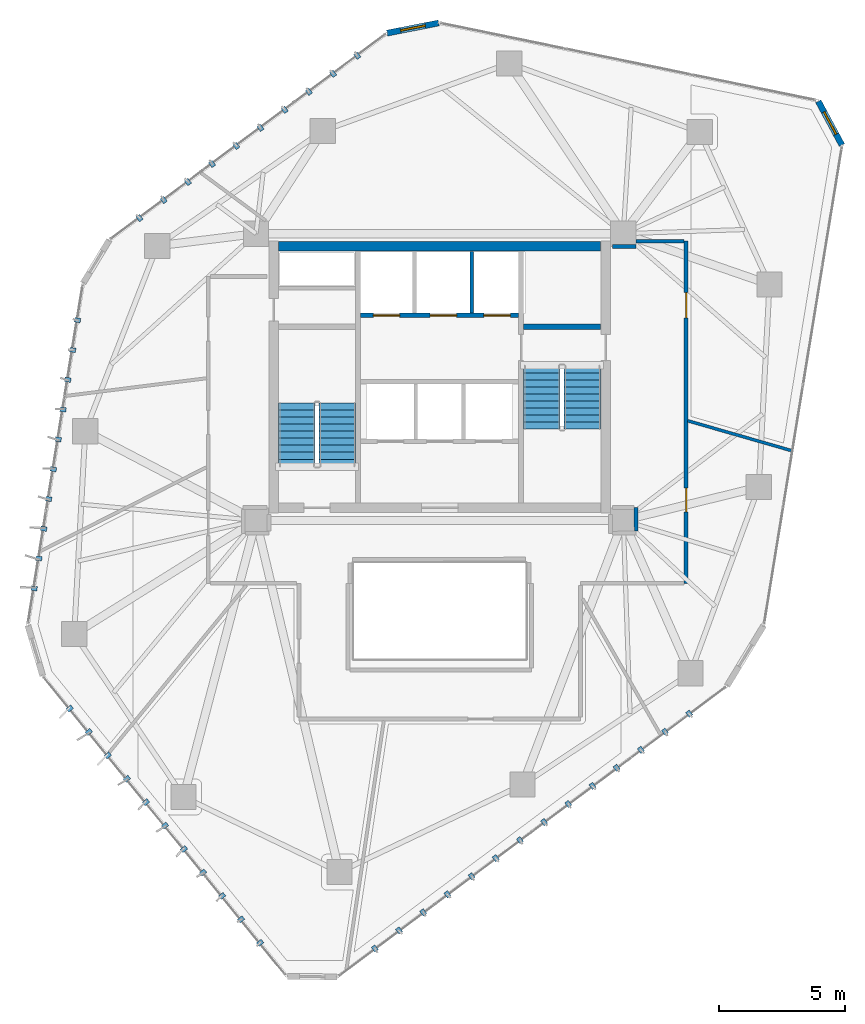
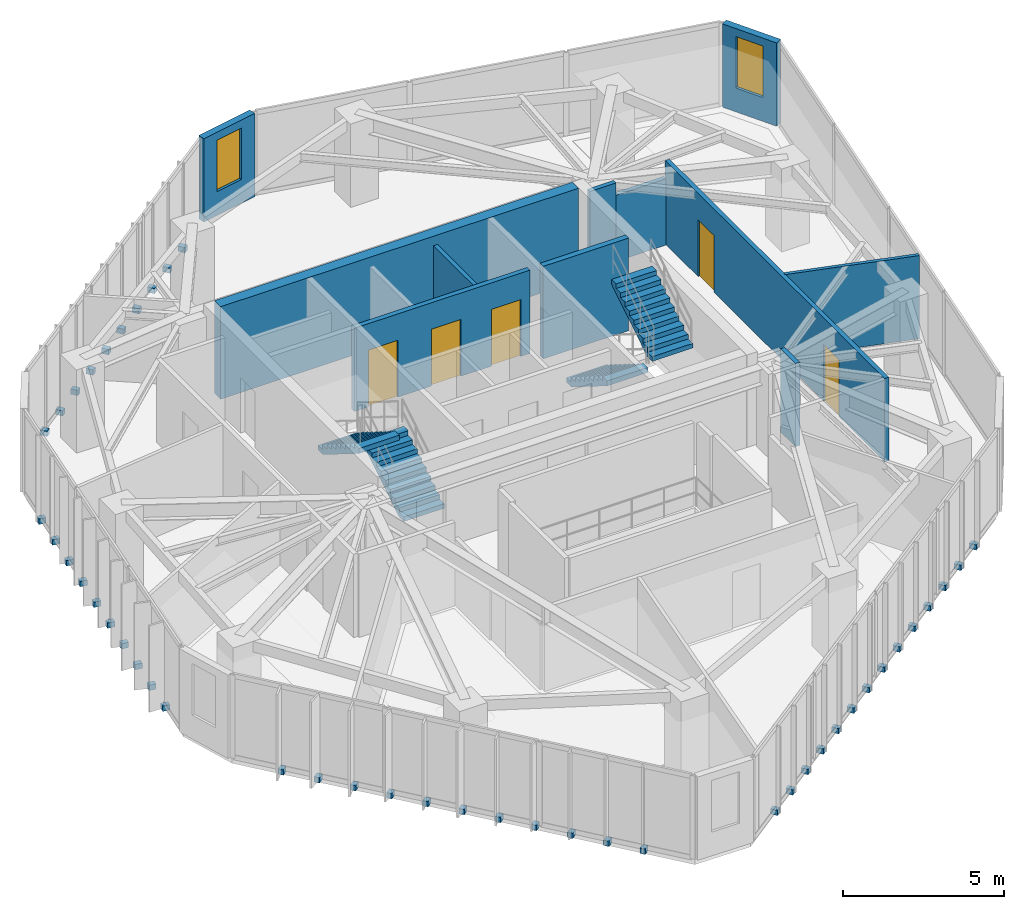
# One storey, part 18 of 20: 45 discrete accessories, 11 walls, 5 doors, 4 stair flights, 2 windows, 7 openings, 2 elements without a shape of their own.
"""IFC4 building model written with IfcOpenShell, lengths in metres."""

from ifc_helpers import new_model, si_unit, direction, frame, frame_2d, origin, origin_2d, place, context, subcontext, project, spatial, polyline, rectangle, outline, extrude, source, transform, mapped, material, layer, layer_set, type_object, type_shapes, element, fill, aggregate, save


model = new_model("IFC4")

# Units and contexts
model_context = context("Model", 3, precision=1e-05, world=origin(), true_north=direction((0.0, 1.0)))
body_context = subcontext(model_context, "Body", "Model", "MODEL_VIEW")
ifc_project = project(units=[si_unit("LENGTHUNIT", "METRE"), si_unit("AREAUNIT", "SQUARE_METRE"), si_unit("VOLUMEUNIT", "CUBIC_METRE"), si_unit("PLANEANGLEUNIT", "RADIAN"), si_unit("MASSUNIT", "GRAM", prefix="KILO")], contexts=[model_context])

# Site, building, storey
site_placement = place(None, origin())
site = spatial("IfcSite", under=ifc_project, at=site_placement, CompositionType="ELEMENT")
building_placement = place(site_placement, origin())
building = spatial("IfcBuilding", under=site, at=building_placement, Name="Talar Marvaseh", CompositionType="ELEMENT")
storey_placement = place(building_placement, frame((0.0, 0.0, 198.5)))
storey = spatial("IfcBuildingStorey", under=building, at=storey_placement, Name="L52", CompositionType="ELEMENT", Elevation=198.5)

# Wall, opening, window
ifc_material_1 = material(Name="Precast concrete C45/55", Category="concrete")
ifc_layer_1 = layer(ifc_material_1, 0.239990234375)
ifc_layer_set_1 = layer_set([ifc_layer_1], Name="Precast concrete C45/55")
wall_type_1 = type_object("IfcWallType", Name="Chamfered Hexagonal Corner Pier Wall Z3 240", PredefinedType="SOLIDWALL", material=ifc_layer_set_1)
wall_1_placement = place(storey_placement, frame((23.914306640625, 44.87451171875, 0.0), z_axis=(0.0, 0.0, 1.0), x_axis=(0.981222754969, 0.192877953979, 0.0)))
wall_1 = element("IfcWall", 1, at=wall_1_placement, inside=storey, type_object=wall_type_1, Name="L52 Chamfered Corner Limestone Pier 4", PredefinedType="SOLIDWALL", context=body_context, shape_type="SweptSolid", body=[
    extrude(rectangle(XDim=2.088623046875, YDim=0.239990234375, at=frame_2d((1.04443359375, 0.0))), origin(), (0.0, 0.0, 1.0), 3.14990234375),
])
opening_1_placement = place(wall_1_placement, frame((0.5439453125, 0.0, 0.89990234375)))
opening_1 = element("IfcOpeningElement", 2, at=opening_1_placement, cuts=wall_1, Name="Opening WN-CHM10", PredefinedType="OPENING", context=body_context, shape_type="SweptSolid", body=[
    extrude(rectangle(XDim=1.0, YDim=1.949951171875, at=frame_2d((0.5, 0.97509765625))), frame((0.0, 0.1298828125, 0.0), z_axis=(0.0, -1.0, 0.0), x_axis=(1.0, 0.0, 0.0)), (0.0, 0.0, 1.0), 0.260009765625),
])
ifc_material_2 = material(Name="Laminated Low-E Solar Glass", Category="glass")
window_type = type_object("IfcWindowType", Name="Zone 3 Chamfered Corner Slot Window 1000x1950", PartitioningType="SINGLE_PANEL", PredefinedType="WINDOW", material=ifc_material_2)
shared_shape_1 = source(origin(), body_context, "Body", "SweptSolid", [
    extrude(rectangle(XDim=1.0, YDim=1.949951171875, at=frame_2d((0.5, 0.97509765625))), frame((0.0, 0.030029296875, 0.0), z_axis=(0.0, -1.0, 0.0), x_axis=(1.0, 0.0, 0.0)), (0.0, 0.0, 1.0), 0.06005859375),
])
type_shapes(window_type, [shared_shape_1])
window_1_placement = place(opening_1_placement, origin())
window_1 = element("IfcWindow", 3, at=window_1_placement, inside=storey, type_object=window_type, Name="L52 Chamfered Corner Slot Window", OverallHeight=1.949951171875, OverallWidth=1.0, PartitioningType="SINGLE_PANEL", PredefinedType="WINDOW", context=body_context, shape_type="MappedRepresentation", body=[
    mapped(shared_shape_1, transform((0.0, 0.0, 0.0), x_axis=(1.0, 0.0, 0.0), y_axis=(0.0, 1.0, 0.0), z_axis=(0.0, 0.0, 1.0), scale=1.0)),
])
fill(opening_1, window_1)

wall_2_placement = place(storey_placement, frame((41.053955078125, 42.163818359375, 0.0), z_axis=(0.0, 0.0, 1.0), x_axis=(0.474357429057, -0.880332340368, 0.0)))
wall_2 = element("IfcWall", 4, at=wall_2_placement, inside=storey, type_object=wall_type_1, Name="L52 Chamfered Corner Limestone Pier 5", PredefinedType="SOLIDWALL", context=body_context, shape_type="SweptSolid", body=[
    extrude(rectangle(XDim=1.977783203125, YDim=0.239990234375, at=frame_2d((0.98876953125, 0.0))), origin(), (0.0, 0.0, 1.0), 3.14990234375),
])
opening_2_placement = place(wall_2_placement, frame((0.489013671875, 0.0, 0.89990234375)))
opening_2 = element("IfcOpeningElement", 5, at=opening_2_placement, cuts=wall_2, Name="Opening WN-CHM10", PredefinedType="OPENING", context=body_context, shape_type="SweptSolid", body=[
    extrude(rectangle(XDim=1.0, YDim=1.949951171875, at=frame_2d((0.5, 0.97509765625))), frame((0.0, 0.1298828125, 0.0), z_axis=(0.0, -1.0, 0.0), x_axis=(1.0, 0.0, 0.0)), (0.0, 0.0, 1.0), 0.260009765625),
])
window_2_placement = place(opening_2_placement, origin())
window_2 = element("IfcWindow", 6, at=window_2_placement, inside=storey, type_object=window_type, Name="L52 Chamfered Corner Slot Window", OverallHeight=1.949951171875, OverallWidth=1.0, PartitioningType="SINGLE_PANEL", PredefinedType="WINDOW", context=body_context, shape_type="MappedRepresentation", body=[
    mapped(shared_shape_1, transform((0.0, 0.0, 0.0), x_axis=(1.0, 0.0, 0.0), y_axis=(0.0, 1.0, 0.0), z_axis=(0.0, 0.0, 1.0), scale=1.0)),
])
fill(opening_2, window_2)

# Wall, openings, doors
ifc_material_3 = material(Name="Gypsum Board Partition Assembly")
ifc_layer_2 = layer(ifc_material_3, 0.155029296875)
ifc_layer_set_2 = layer_set([ifc_layer_2], Name="Gypsum Board Partition Assembly")
wall_type_2 = type_object("IfcWallType", Name="Corridor Fire-Rated Acoustic Partition 155", PredefinedType="PARTITIONING", material=ifc_layer_set_2)
wall_3_placement = place(storey_placement, frame((35.800048828125, 36.60009765625, 0.0), z_axis=(0.0, 0.0, 1.0), x_axis=(0.0, -1.0, 0.0)))
wall_3 = element("IfcWall", 7, at=wall_3_placement, inside=storey, type_object=wall_type_2, Name="L52 Interior Partition Wall", PredefinedType="PARTITIONING", context=body_context, shape_type="SweptSolid", body=[
    extrude(rectangle(XDim=13.60009765625, YDim=0.155029296875, at=frame_2d((6.800048828125, 0.0))), origin(), (0.0, 0.0, 1.0), 3.14990234375),
])
opening_3_placement = place(wall_3_placement, frame((9.81494140625, 0.0, 0.0)))
opening_3 = element("IfcOpeningElement", 8, at=opening_3_placement, cuts=wall_3, Name="Opening DR-WC095", PredefinedType="OPENING", context=body_context, shape_type="SweptSolid", body=[
    extrude(rectangle(XDim=0.949951171875, YDim=2.14990234375, at=frame_2d((0.47509765625, 1.074951171875))), frame((0.0, 0.08740234375, 0.0), z_axis=(0.0, -1.0, 0.0), x_axis=(1.0, 0.0, 0.0)), (0.0, 0.0, 1.0), 0.175048828125),
])
opening_4_placement = place(wall_3_placement, frame((2.04296875, 0.0, 0.0)))
opening_4 = element("IfcOpeningElement", 9, at=opening_4_placement, cuts=wall_3, Name="Opening DR-RM100", PredefinedType="OPENING", context=body_context, shape_type="SweptSolid", body=[
    extrude(rectangle(XDim=1.0, YDim=2.14990234375, at=frame_2d((0.5, 1.074951171875))), frame((0.0, 0.08740234375, 0.0), z_axis=(0.0, -1.0, 0.0), x_axis=(1.0, 0.0, 0.0)), (0.0, 0.0, 1.0), 0.175048828125),
])
ifc_material_4 = material(Name="Acoustic Engineered Oak Timber", Category="wood")
door_type_1 = type_object("IfcDoorType", Name="Washroom and Service Room Door 950x2150", OperationType="NOTDEFINED", PredefinedType="DOOR", material=ifc_material_4)
shared_shape_2 = source(origin(), body_context, "Body", "SweptSolid", [
    extrude(rectangle(XDim=0.949951171875, YDim=2.14990234375, at=frame_2d((0.47509765625, 1.074951171875))), frame((0.0, 0.02490234375, 0.0), z_axis=(0.0, -1.0, 0.0), x_axis=(1.0, 0.0, 0.0)), (0.0, 0.0, 1.0), 0.050048828125),
])
type_shapes(door_type_1, [shared_shape_2])
door_1_placement = place(opening_3_placement, origin())
door_1 = element("IfcDoor", 10, at=door_1_placement, inside=storey, type_object=door_type_1, Name="L52 Scholars' Servery Pantry Door", OperationType="SINGLE_SWING_RIGHT", OverallHeight=2.14990234375, OverallWidth=0.949951171875, PredefinedType="DOOR", context=body_context, shape_type="MappedRepresentation", body=[
    mapped(shared_shape_2, transform((0.0, 0.0, 0.0), x_axis=(1.0, 0.0, 0.0), y_axis=(0.0, 1.0, 0.0), z_axis=(0.0, 0.0, 1.0), scale=1.0)),
])
fill(opening_3, door_1)
door_type_2 = type_object("IfcDoorType", Name="Corridor Fire-Rated Gallery Door 1000x2150", OperationType="NOTDEFINED", PredefinedType="DOOR", material=ifc_material_4)
shared_shape_3 = source(origin(), body_context, "Body", "SweptSolid", [
    extrude(rectangle(XDim=1.0, YDim=2.14990234375, at=frame_2d((0.5, 1.074951171875))), frame((0.0, 0.02490234375, 0.0), z_axis=(0.0, -1.0, 0.0), x_axis=(1.0, 0.0, 0.0)), (0.0, 0.0, 1.0), 0.050048828125),
])
type_shapes(door_type_2, [shared_shape_3])
door_2_placement = place(opening_4_placement, origin())
door_2 = element("IfcDoor", 11, at=door_2_placement, inside=storey, type_object=door_type_2, Name="L52 Conservation Briefing Room Door", OperationType="SINGLE_SWING_LEFT", OverallHeight=2.14990234375, OverallWidth=1.0, PredefinedType="DOOR", context=body_context, shape_type="MappedRepresentation", body=[
    mapped(shared_shape_3, transform((0.0, 0.0, 0.0), x_axis=(1.0, 0.0, 0.0), y_axis=(0.0, 1.0, 0.0), z_axis=(0.0, 0.0, 1.0), scale=1.0)),
])
fill(opening_4, door_2)

# Walls
wall_4_placement = place(storey_placement, frame((33.814697265625, 25.08349609375, 0.0), z_axis=(0.0, 0.0, 1.0), x_axis=(-0.004477173984, 0.999989977406, 0.0)))
element("IfcWall", 12, at=wall_4_placement, inside=storey, type_object=wall_type_2, Name="L52 Interior Partition Wall", PredefinedType="PARTITIONING", context=body_context, shape_type="SweptSolid", body=[
    extrude(rectangle(XDim=0.927001953125, YDim=0.155029296875, at=frame_2d((0.46337890625, 0.0))), origin(), (0.0, 0.0, 1.0), 3.14990234375),
])
wall_5_placement = place(storey_placement, frame((32.8701171875, 36.385009765625, 0.0), z_axis=(0.0, 0.0, 1.0), x_axis=(0.999999965754, 0.000261711585, 0.0)))
element("IfcWall", 13, at=wall_5_placement, inside=storey, type_object=wall_type_2, Name="L52 Interior Partition Wall", PredefinedType="PARTITIONING", context=body_context, shape_type="SweptSolid", body=[
    extrude(rectangle(XDim=0.932861328125, YDim=0.155029296875, at=frame_2d((0.46630859375, 0.0))), origin(), (0.0, 0.0, 1.0), 3.14990234375),
])
wall_6_placement = place(storey_placement, frame((33.81494140625, 36.60009765625, 0.0), z_axis=(0.0, 0.0, 1.0), x_axis=(1.0, 0.0, 0.0)))
element("IfcWall", 14, at=wall_6_placement, inside=storey, type_object=wall_type_2, Name="L52 Interior Partition Wall", PredefinedType="PARTITIONING", context=body_context, shape_type="SweptSolid", body=[
    extrude(rectangle(XDim=1.901611328125, YDim=0.155029296875, at=frame_2d((0.95068359375, 0.0))), origin(), (0.0, 0.0, 1.0), 2.509033203125),
])
ifc_layer_3 = layer(ifc_material_3, 0.1201171875)
ifc_layer_set_3 = layer_set([ifc_layer_3], Name="Gypsum Board Partition Assembly")
wall_type_3 = type_object("IfcWallType", Name="Demountable Studio Room Partition 120", PredefinedType="PARTITIONING", material=ifc_layer_set_3)
wall_7_placement = place(storey_placement, frame((35.862548828125, 29.4619140625, 0.0), z_axis=(0.0, 0.0, 1.0), x_axis=(0.960991316353, -0.276578541998, 0.0)))
element("IfcWall", 15, at=wall_7_placement, inside=storey, type_object=wall_type_3, Name="L52 Interior Partition Wall", PredefinedType="PARTITIONING", context=body_context, shape_type="SweptSolid", body=[
    extrude(rectangle(XDim=4.30419921875, YDim=0.1201171875, at=frame_2d((2.152099609375, 0.0))), origin(), (0.0, 0.0, 1.0), 3.14990234375),
])
ifc_layer_4 = layer(ifc_material_1, 0.14501953125)
ifc_layer_set_4 = layer_set([ifc_layer_4], Name="Precast concrete C45/55")
wall_type_4 = type_object("IfcWallType", Name="Fire-Rated Lift Divider Wall 145", PredefinedType="SOLIDWALL", material=ifc_layer_set_4)
wall_8_placement = place(storey_placement, frame((27.280029296875, 33.743408203125, 0.0), z_axis=(0.0, 0.0, 1.0), x_axis=(0.0, 1.0, 0.0)))
element("IfcWall", 16, at=wall_8_placement, inside=storey, type_object=wall_type_4, Name="L52 FFL-2/SVL-1 Divider", PredefinedType="SOLIDWALL", context=body_context, shape_type="SweptSolid", body=[
    extrude(rectangle(XDim=2.45654296875, YDim=0.14501953125, at=frame_2d((1.228271484375, 0.0))), origin(), (0.0, 0.0, 1.0), 3.14990234375),
])

# Wall, openings, doors
ifc_layer_5 = layer(ifc_material_1, 0.175048828125)
ifc_layer_set_5 = layer_set([ifc_layer_5], Name="Precast concrete C45/55")
wall_type_5 = type_object("IfcWallType", Name="Fire-Rated Lift Hoistway Enclosure Wall 175", PredefinedType="SOLIDWALL", material=ifc_layer_set_5)
wall_9_placement = place(storey_placement, frame((22.860107421875, 33.64990234375, 0.0), z_axis=(0.0, 0.0, 1.0), x_axis=(1.0, 0.0, 0.0)))
wall_9 = element("IfcWall", 17, at=wall_9_placement, inside=storey, type_object=wall_type_5, Name="L52 Firefighting and Service Lift Front Wall", PredefinedType="SOLIDWALL", context=body_context, shape_type="SweptSolid", body=[
    extrude(rectangle(XDim=6.27978515625, YDim=0.175048828125, at=frame_2d((3.139892578125, 0.0))), origin(), (0.0, 0.0, 1.0), 3.14990234375),
])
opening_5_placement = place(wall_9_placement, frame((0.5, 0.0, 0.0)))
opening_5 = element("IfcOpeningElement", 18, at=opening_5_placement, cuts=wall_9, Name="Opening LD-FF1", PredefinedType="OPENING", context=body_context, shape_type="SweptSolid", body=[
    extrude(rectangle(XDim=1.050048828125, YDim=2.14990234375, at=frame_2d((0.52490234375, 1.074951171875))), frame((0.0, 0.09765625, 0.0), z_axis=(0.0, -1.0, 0.0), x_axis=(1.0, 0.0, 0.0)), (0.0, 0.0, 1.0), 0.195068359375),
])
opening_6_placement = place(wall_9_placement, frame((2.760009765625, 0.0, 0.0)))
opening_6 = element("IfcOpeningElement", 19, at=opening_6_placement, cuts=wall_9, Name="Opening LD-FF2", PredefinedType="OPENING", context=body_context, shape_type="SweptSolid", body=[
    extrude(rectangle(XDim=1.050048828125, YDim=2.14990234375, at=frame_2d((0.52490234375, 1.074951171875))), frame((0.0, 0.09765625, 0.0), z_axis=(0.0, -1.0, 0.0), x_axis=(1.0, 0.0, 0.0)), (0.0, 0.0, 1.0), 0.195068359375),
])
opening_7_placement = place(wall_9_placement, frame((4.89990234375, 0.0, 0.0)))
opening_7 = element("IfcOpeningElement", 20, at=opening_7_placement, cuts=wall_9, Name="Opening LD-SV1", PredefinedType="OPENING", context=body_context, shape_type="SweptSolid", body=[
    extrude(rectangle(XDim=1.050048828125, YDim=2.14990234375, at=frame_2d((0.52490234375, 1.074951171875))), frame((0.0, 0.09765625, 0.0), z_axis=(0.0, -1.0, 0.0), x_axis=(1.0, 0.0, 0.0)), (0.0, 0.0, 1.0), 0.195068359375),
])
ifc_material_5 = material(Name="Stainless Steel Grade 316", Category="steel")
door_type_3 = type_object("IfcDoorType", Name="Automatic Sliding Lift Landing Door 1050x2150", OperationType="NOTDEFINED", PredefinedType="DOOR", material=ifc_material_5)
shared_shape_4 = source(origin(), body_context, "Body", "SweptSolid", [
    extrude(rectangle(XDim=1.050048828125, YDim=2.14990234375, at=frame_2d((0.52490234375, 1.074951171875))), frame((0.0, 0.02490234375, 0.0), z_axis=(0.0, -1.0, 0.0), x_axis=(1.0, 0.0, 0.0)), (0.0, 0.0, 1.0), 0.050048828125),
])
type_shapes(door_type_3, [shared_shape_4])
door_3_placement = place(opening_5_placement, origin())
door_3 = element("IfcDoor", 21, at=door_3_placement, inside=storey, type_object=door_type_3, Name="L52 Lift FFL-1 Sliding Landing Door", OperationType="SLIDING_TO_LEFT", OverallHeight=2.14990234375, OverallWidth=1.050048828125, PredefinedType="DOOR", context=body_context, shape_type="MappedRepresentation", body=[
    mapped(shared_shape_4, transform((0.0, 0.0, 0.0), x_axis=(1.0, 0.0, 0.0), y_axis=(0.0, 1.0, 0.0), z_axis=(0.0, 0.0, 1.0), scale=1.0)),
])
fill(opening_5, door_3)
door_4_placement = place(opening_6_placement, origin())
door_4 = element("IfcDoor", 22, at=door_4_placement, inside=storey, type_object=door_type_3, Name="L52 Lift FFL-2 Sliding Landing Door", OperationType="SLIDING_TO_LEFT", OverallHeight=2.14990234375, OverallWidth=1.050048828125, PredefinedType="DOOR", context=body_context, shape_type="MappedRepresentation", body=[
    mapped(shared_shape_4, transform((0.0, 0.0, 0.0), x_axis=(1.0, 0.0, 0.0), y_axis=(0.0, 1.0, 0.0), z_axis=(0.0, 0.0, 1.0), scale=1.0)),
])
fill(opening_6, door_4)
door_5_placement = place(opening_7_placement, origin())
door_5 = element("IfcDoor", 23, at=door_5_placement, inside=storey, type_object=door_type_3, Name="L52 Lift SVL-1 Sliding Landing Door", OperationType="SLIDING_TO_LEFT", OverallHeight=2.14990234375, OverallWidth=1.050048828125, PredefinedType="DOOR", context=body_context, shape_type="MappedRepresentation", body=[
    mapped(shared_shape_4, transform((0.0, 0.0, 0.0), x_axis=(1.0, 0.0, 0.0), y_axis=(0.0, 1.0, 0.0), z_axis=(0.0, 0.0, 1.0), scale=1.0)),
])
fill(opening_7, door_5)

# Walls
ifc_material_6 = material(Name="Concrete C60/75", Category="concrete")
ifc_layer_6 = layer(ifc_material_6, 0.3798828125)
ifc_layer_set_6 = layer_set([ifc_layer_6], Name="Concrete C60/75")
wall_type_6 = type_object("IfcWallType", Name="Mid Core Reinforced Concrete Shear Wall 380", PredefinedType="SHEAR", material=ifc_layer_set_6)
wall_10_placement = place(storey_placement, frame((19.60009765625, 36.39990234375, 0.0), z_axis=(0.0, 0.0, 1.0), x_axis=(1.0, 0.0, 0.0)))
element("IfcWall", 24, at=wall_10_placement, inside=storey, type_object=wall_type_6, Name="L52 North Core Shear Wall", PredefinedType="SHEAR", context=body_context, shape_type="SweptSolid", body=[
    extrude(rectangle(XDim=12.7998046875, YDim=0.3798828125, at=frame_2d((6.39990234375, 0.0))), origin(), (0.0, 0.0, 1.0), 3.5),
])
ifc_material_7 = material(Name="Concrete C50/60", Category="concrete")
ifc_layer_7 = layer(ifc_material_7, 0.199951171875)
ifc_layer_set_7 = layer_set([ifc_layer_7], Name="Concrete C50/60")
wall_type_7 = type_object("IfcWallType", Name="Stair Shaft Structural Concrete Shear Wall 200", PredefinedType="SHEAR", material=ifc_layer_set_7)
wall_11_placement = place(storey_placement, frame((29.340087890625, 33.199951171875, 0.0), z_axis=(0.0, 0.0, 1.0), x_axis=(1.0, 0.0, 0.0)))
element("IfcWall", 25, at=wall_11_placement, inside=storey, type_object=wall_type_7, Name="L52 Stair ST-2 North Shear Wall", PredefinedType="SHEAR", context=body_context, shape_type="SweptSolid", body=[
    extrude(rectangle(XDim=3.059814453125, YDim=0.199951171875, at=frame_2d((1.52978515625, 0.0))), origin(), (0.0, 0.0, 1.0), 3.5),
])

# Stair, stair flights
ifc_material_8 = material(Name="Concrete C40/50", Category="concrete")
stair_type = type_object("IfcStairType", Name="Reinforced Concrete High-Rise Exit Stair Type C", PredefinedType="HALF_TURN_STAIR", material=ifc_material_8)
stair_1_placement = place(storey_placement, origin())
stair_1 = element("IfcStair", 26, at=stair_1_placement, inside=storey, type_object=stair_type, Name="L52 Tower West Core Exit Stair", PredefinedType="HALF_TURN_STAIR")
ifc_layer_8 = layer(ifc_material_8, 0.159912109375)
ifc_layer_set_8 = layer_set([ifc_layer_8], Name="Concrete C40/50")
stair_flight_type = type_object("IfcStairFlightType", Name="Reinforced Concrete Straight Stair Flight 160", PredefinedType="STRAIGHT", material=ifc_layer_set_8)
stair_flight_1_placement = place(storey_placement, frame((21.93505859375, 27.64990234375, 0.0), z_axis=(0.0, 0.0, 1.0), x_axis=(0.0, 1.0, 0.0)))
stair_flight_1 = element("IfcStairFlight", 27, at=stair_flight_1_placement, type_object=stair_flight_type, Name="ST-1 flight 1", NumberOfRisers=10, NumberOfTreads=9, PredefinedType="STRAIGHT", RiserHeight=0.175, TreadLength=0.28, context=body_context, shape_type="SweptSolid", body=[
    extrude(outline(polyline([(0.0, 0.0), (0.0, 0.175048828125), (0.280029296875, 0.175048828125), (0.280029296875, 0.35009765625), (0.56005859375, 0.35009765625), (0.56005859375, 0.52490234375), (0.840087890625, 0.52490234375), (0.840087890625, 0.699951171875), (1.1201171875, 0.699951171875), (1.1201171875, 0.875), (1.39990234375, 0.875), (1.39990234375, 1.050048828125), (1.679931640625, 1.050048828125), (1.679931640625, 1.22509765625), (1.9599609375, 1.22509765625), (1.9599609375, 1.39990234375), (2.239990234375, 1.39990234375), (2.239990234375, 1.574951171875), (2.52001953125, 1.574951171875), (2.52001953125, 1.75), (2.52001953125, 1.386474609375), (0.3017578125, 0.0), (0.0, 0.0)])), frame((0.0, 0.72509765625, 0.0), z_axis=(0.0, -1.0, 0.0), x_axis=(1.0, 0.0, 0.0)), (0.0, 0.0, 1.0), 1.449951171875),
])
stair_flight_2_placement = place(storey_placement, frame((20.324951171875, 30.169921875, 1.75), z_axis=(0.0, 0.0, 1.0), x_axis=(0.0, -1.0, 0.0)))
stair_flight_2 = element("IfcStairFlight", 28, at=stair_flight_2_placement, type_object=stair_flight_type, Name="ST-1 flight 2", NumberOfRisers=10, NumberOfTreads=9, PredefinedType="STRAIGHT", RiserHeight=0.175, TreadLength=0.28, context=body_context, shape_type="SweptSolid", body=[
    extrude(outline(polyline([(0.0, 0.0), (0.0, 0.175048828125), (0.280029296875, 0.175048828125), (0.280029296875, 0.35009765625), (0.56005859375, 0.35009765625), (0.56005859375, 0.52490234375), (0.840087890625, 0.52490234375), (0.840087890625, 0.699951171875), (1.1201171875, 0.699951171875), (1.1201171875, 0.875), (1.39990234375, 0.875), (1.39990234375, 1.050048828125), (1.679931640625, 1.050048828125), (1.679931640625, 1.22509765625), (1.9599609375, 1.22509765625), (1.9599609375, 1.39990234375), (2.239990234375, 1.39990234375), (2.239990234375, 1.574951171875), (2.52001953125, 1.574951171875), (2.52001953125, 1.75), (2.52001953125, 1.386474609375), (0.3017578125, 0.0), (0.0, 0.0)])), frame((0.0, 0.72509765625, 0.0), z_axis=(0.0, -1.0, 0.0), x_axis=(1.0, 0.0, 0.0)), (0.0, 0.0, 1.0), 1.449951171875),
])
aggregate(stair_1, [stair_flight_1, stair_flight_2])

stair_2_placement = place(storey_placement, origin())
stair_2 = element("IfcStair", 29, at=stair_2_placement, inside=storey, type_object=stair_type, Name="L52 Tower East Core Exit Stair", PredefinedType="HALF_TURN_STAIR")
stair_flight_3_placement = place(storey_placement, frame((30.06494140625, 31.64990234375, 0.0), z_axis=(0.0, 0.0, 1.0), x_axis=(0.0, -1.0, 0.0)))
stair_flight_3 = element("IfcStairFlight", 30, at=stair_flight_3_placement, type_object=stair_flight_type, Name="ST-2 flight 1", NumberOfRisers=10, NumberOfTreads=9, PredefinedType="STRAIGHT", RiserHeight=0.175, TreadLength=0.28, context=body_context, shape_type="SweptSolid", body=[
    extrude(outline(polyline([(0.0, 0.0), (0.0, 0.175048828125), (0.280029296875, 0.175048828125), (0.280029296875, 0.35009765625), (0.56005859375, 0.35009765625), (0.56005859375, 0.52490234375), (0.840087890625, 0.52490234375), (0.840087890625, 0.699951171875), (1.1201171875, 0.699951171875), (1.1201171875, 0.875), (1.39990234375, 0.875), (1.39990234375, 1.050048828125), (1.679931640625, 1.050048828125), (1.679931640625, 1.22509765625), (1.9599609375, 1.22509765625), (1.9599609375, 1.39990234375), (2.239990234375, 1.39990234375), (2.239990234375, 1.574951171875), (2.52001953125, 1.574951171875), (2.52001953125, 1.75), (2.52001953125, 1.386474609375), (0.3017578125, 0.0), (0.0, 0.0)])), frame((0.0, 0.72509765625, 0.0), z_axis=(0.0, -1.0, 0.0), x_axis=(1.0, 0.0, 0.0)), (0.0, 0.0, 1.0), 1.449951171875),
])
stair_flight_4_placement = place(storey_placement, frame((31.675048828125, 29.1298828125, 1.75), z_axis=(0.0, 0.0, 1.0), x_axis=(0.0, 1.0, 0.0)))
stair_flight_4 = element("IfcStairFlight", 31, at=stair_flight_4_placement, type_object=stair_flight_type, Name="ST-2 flight 2", NumberOfRisers=10, NumberOfTreads=9, PredefinedType="STRAIGHT", RiserHeight=0.175, TreadLength=0.28, context=body_context, shape_type="SweptSolid", body=[
    extrude(outline(polyline([(0.0, 0.0), (0.0, 0.175048828125), (0.280029296875, 0.175048828125), (0.280029296875, 0.35009765625), (0.56005859375, 0.35009765625), (0.56005859375, 0.52490234375), (0.840087890625, 0.52490234375), (0.840087890625, 0.699951171875), (1.1201171875, 0.699951171875), (1.1201171875, 0.875), (1.39990234375, 0.875), (1.39990234375, 1.050048828125), (1.679931640625, 1.050048828125), (1.679931640625, 1.22509765625), (1.9599609375, 1.22509765625), (1.9599609375, 1.39990234375), (2.239990234375, 1.39990234375), (2.239990234375, 1.574951171875), (2.52001953125, 1.574951171875), (2.52001953125, 1.75), (2.52001953125, 1.386474609375), (0.3017578125, 0.0), (0.0, 0.0)])), frame((0.0, 0.72509765625, 0.0), z_axis=(0.0, -1.0, 0.0), x_axis=(1.0, 0.0, 0.0)), (0.0, 0.0, 1.0), 1.449951171875),
])
aggregate(stair_2, [stair_flight_3, stair_flight_4])

# Discrete accessories
discrete_accessory_type = type_object("IfcDiscreteAccessoryType", Name="Stainless Slab-Edge Fin Mounting Bracket", PredefinedType="BRACKET", material=ifc_material_5)
shared_shape_5 = source(origin(), body_context, "Body", "SweptSolid", [
    extrude(rectangle(XDim=0.239990234375, YDim=0.179931640625, at=origin_2d()), origin(), (0.0, 0.0, 1.0), 0.199951171875),
])
type_shapes(discrete_accessory_type, [shared_shape_5])
for number, where, z_axis, x_axis, name in (
    (32, (18.861328125, 8.70654296875, -0.18017578125), (0.0, 0.0, 1.0), (-0.776046407067, -0.630675807431, 0.0), "L52 Vertical Fin Slab-Edge Bracket"),
    (33, (18.1044921875, 9.637939453125, -0.18017578125), (0.0, 0.0, 1.0), (-0.776046407067, -0.630675807431, 0.0), "L52 Vertical Fin Slab-Edge Bracket"),
    (34, (17.347900390625, 10.569091796875, -0.18017578125), (0.0, 0.0, 1.0), (-0.776046407067, -0.630675807431, 0.0), "L52 Vertical Fin Slab-Edge Bracket"),
    (35, (16.591064453125, 11.50048828125, -0.18017578125), (0.0, 0.0, 1.0), (-0.776046407067, -0.630675807431, 0.0), "L52 Vertical Fin Slab-Edge Bracket"),
    (36, (15.834228515625, 12.431884765625, -0.18017578125), (0.0, 0.0, 1.0), (-0.776046407067, -0.630675807431, 0.0), "L52 Vertical Fin Slab-Edge Bracket"),
    (37, (15.07763671875, 13.363037109375, -0.18017578125), (0.0, 0.0, 1.0), (-0.776046407067, -0.630675807431, 0.0), "L52 Vertical Fin Slab-Edge Bracket"),
    (38, (14.32080078125, 14.29443359375, -0.18017578125), (0.0, 0.0, 1.0), (-0.776046407067, -0.630675807431, 0.0), "L52 Vertical Fin Slab-Edge Bracket"),
    (39, (13.564208984375, 15.2255859375, -0.18017578125), (0.0, 0.0, 1.0), (-0.776046407067, -0.630675807431, 0.0), "L52 Vertical Fin Slab-Edge Bracket"),
    (40, (12.807373046875, 16.156982421875, -0.18017578125), (0.0, 0.0, 1.0), (-0.776046407067, -0.630675807431, 0.0), "L52 Vertical Fin Slab-Edge Bracket"),
    (41, (12.050537109375, 17.08837890625, -0.18017578125), (0.0, 0.0, 1.0), (-0.776046407067, -0.630675807431, 0.0), "L52 Vertical Fin Slab-Edge Bracket"),
    (42, (11.293701171875, 18.01953125, -0.18017578125), (0.0, 0.0, 1.0), (-0.776046407067, -0.630675807431, 0.0), "L52 Vertical Fin Slab-Edge Bracket"),
    (43, (9.877685546875, 22.7978515625, -0.18017578125), (0.0, 0.0, 1.0), (-0.987192013995, 0.159536602398, 0.0), "L52 Vertical Fin Slab-Edge Bracket"),
    (44, (10.069091796875, 23.982421875, -0.18017578125), (0.0, 0.0, 1.0), (-0.987192013995, 0.159536602398, 0.0), "L52 Vertical Fin Slab-Edge Bracket"),
    (45, (10.260498046875, 25.1669921875, -0.18017578125), (0.0, 0.0, 1.0), (-0.987192013995, 0.159536602398, 0.0), "L52 Vertical Fin Slab-Edge Bracket"),
    (46, (10.4521484375, 26.3515625, -0.18017578125), (0.0, 0.0, 1.0), (-0.987192013995, 0.159536602398, 0.0), "L52 Vertical Fin Slab-Edge Bracket"),
    (47, (10.6435546875, 27.536376953125, -0.18017578125), (0.0, 0.0, 1.0), (-0.987192013995, 0.159536602398, 0.0), "L52 Vertical Fin Slab-Edge Bracket"),
    (48, (10.835205078125, 28.720947265625, -0.18017578125), (0.0, 0.0, 1.0), (-0.987192013995, 0.159536602398, 0.0), "L52 Vertical Fin Slab-Edge Bracket"),
    (49, (11.026611328125, 29.905517578125, -0.18017578125), (0.0, 0.0, 1.0), (-0.987192013995, 0.159536602398, 0.0), "L52 Vertical Fin Slab-Edge Bracket"),
    (50, (11.218017578125, 31.090087890625, -0.18017578125), (0.0, 0.0, 1.0), (-0.987192013995, 0.159536602398, 0.0), "L52 Vertical Fin Slab-Edge Bracket"),
    (51, (11.409423828125, 32.27490234375, -0.18017578125), (0.0, 0.0, 1.0), (-0.987192013995, 0.159536602398, 0.0), "L52 Vertical Fin Slab-Edge Bracket"),
    (52, (11.60107421875, 33.45947265625, -0.18017578125), (0.0, 0.0, 1.0), (-0.987192013995, 0.159536602398, 0.0), "L52 Vertical Fin Slab-Edge Bracket"),
    (53, (14.065185546875, 37.520263671875, -0.18017578125), (0.0, 0.0, 1.0), (-0.597345238075, 0.801984205923, 0.0), "L52 Vertical Fin Slab-Edge Bracket"),
    (54, (15.027587890625, 38.2373046875, -0.18017578125), (0.0, 0.0, 1.0), (-0.597345238075, 0.801984205923, 0.0), "L52 Vertical Fin Slab-Edge Bracket"),
    (55, (15.989990234375, 38.9541015625, -0.18017578125), (0.0, 0.0, 1.0), (-0.597345238075, 0.801984205923, 0.0), "L52 Vertical Fin Slab-Edge Bracket"),
    (56, (16.952392578125, 39.6708984375, -0.18017578125), (0.0, 0.0, 1.0), (-0.597345238075, 0.801984205923, 0.0), "L52 Vertical Fin Slab-Edge Bracket"),
    (57, (17.914794921875, 40.3876953125, -0.18017578125), (0.0, 0.0, 1.0), (-0.597345238075, 0.801984205923, 0.0), "L52 Vertical Fin Slab-Edge Bracket"),
    (58, (18.876953125, 41.1044921875, -0.18017578125), (0.0, 0.0, 1.0), (-0.597345238075, 0.801984205923, 0.0), "L52 Vertical Fin Slab-Edge Bracket"),
    (59, (19.83935546875, 41.821533203125, -0.18017578125), (0.0, 0.0, 1.0), (-0.597345238075, 0.801984205923, 0.0), "L52 Vertical Fin Slab-Edge Bracket"),
    (60, (20.8017578125, 42.538330078125, -0.18017578125), (0.0, 0.0, 1.0), (-0.597345238075, 0.801984205923, 0.0), "L52 Vertical Fin Slab-Edge Bracket"),
    (61, (21.76416015625, 43.255126953125, -0.18017578125), (0.0, 0.0, 1.0), (-0.597345238075, 0.801984205923, 0.0), "L52 Vertical Fin Slab-Edge Bracket"),
    (62, (22.726318359375, 43.971923828125, -0.18017578125), (0.0, 0.0, 1.0), (-0.597345238075, 0.801984205923, 0.0), "L52 Vertical Fin Slab-Edge Bracket"),
    (63, (35.922119140625, 17.81494140625, -0.18017578125), (0.0, 0.0, 1.0), (0.598464436629, -0.801149373145, 0.0), "L52 Vertical Fin Slab-Edge Bracket"),
    (64, (34.960693359375, 17.0966796875, -0.18017578125), (0.0, 0.0, 1.0), (0.598464436629, -0.801149373145, 0.0), "L52 Vertical Fin Slab-Edge Bracket"),
    (65, (33.99951171875, 16.378662109375, -0.18017578125), (0.0, 0.0, 1.0), (0.598464436629, -0.801149373145, 0.0), "L52 Vertical Fin Slab-Edge Bracket"),
    (66, (33.0380859375, 15.660400390625, -0.18017578125), (0.0, 0.0, 1.0), (0.598464436629, -0.801149373145, 0.0), "L52 Vertical Fin Slab-Edge Bracket"),
    (67, (32.07666015625, 14.9423828125, -0.18017578125), (0.0, 0.0, 1.0), (0.598464436629, -0.801149373145, 0.0), "L52 Vertical Fin Slab-Edge Bracket"),
    (68, (31.115234375, 14.224365234375, -0.18017578125), (0.0, 0.0, 1.0), (0.598464436629, -0.801149373145, 0.0), "L52 Vertical Fin Slab-Edge Bracket"),
    (69, (30.15380859375, 13.506103515625, -0.18017578125), (0.0, 0.0, 1.0), (0.598464436629, -0.801149373145, 0.0), "L52 Vertical Fin Slab-Edge Bracket"),
    (70, (29.1923828125, 12.7880859375, -0.18017578125), (0.0, 0.0, 1.0), (0.598464436629, -0.801149373145, 0.0), "L52 Vertical Fin Slab-Edge Bracket"),
    (71, (28.23095703125, 12.06982421875, -0.18017578125), (0.0, 0.0, 1.0), (0.598464436629, -0.801149373145, 0.0), "L52 Vertical Fin Slab-Edge Bracket"),
    (72, (27.269775390625, 11.351806640625, -0.18017578125), (0.0, 0.0, 1.0), (0.598464436629, -0.801149373145, 0.0), "L52 Vertical Fin Slab-Edge Bracket"),
    (73, (26.308349609375, 10.633544921875, -0.18017578125), (0.0, 0.0, 1.0), (0.598464436629, -0.801149373145, 0.0), "L52 Vertical Fin Slab-Edge Bracket"),
    (74, (25.346923828125, 9.915283203125, -0.18017578125), (0.0, 0.0, 1.0), (0.598464436629, -0.801149373145, 0.0), "L52 Vertical Fin Slab-Edge Bracket"),
    (75, (24.385498046875, 9.197265625, -0.18017578125), (0.0, 0.0, 1.0), (0.598464436629, -0.801149373145, 0.0), "L52 Vertical Fin Slab-Edge Bracket"),
    (76, (23.424072265625, 8.479248046875, -0.18017578125), (0.0, 0.0, 1.0), (0.598464436629, -0.801149373145, 0.0), "L52 Vertical Fin Slab-Edge Bracket"),
):
    element("IfcDiscreteAccessory", number, at=place(storey_placement, frame(where, z_axis=z_axis, x_axis=x_axis)), inside=storey, type_object=discrete_accessory_type, Name=name, PredefinedType="BRACKET", context=body_context, shape_type="MappedRepresentation", body=[
        mapped(shared_shape_5, transform((0.0, 0.0, 0.0), x_axis=(1.0, 0.0, 0.0), y_axis=(0.0, 1.0, 0.0), z_axis=(0.0, 0.0, 1.0), scale=1.0)),
    ])

save(model, "model.ifc")
